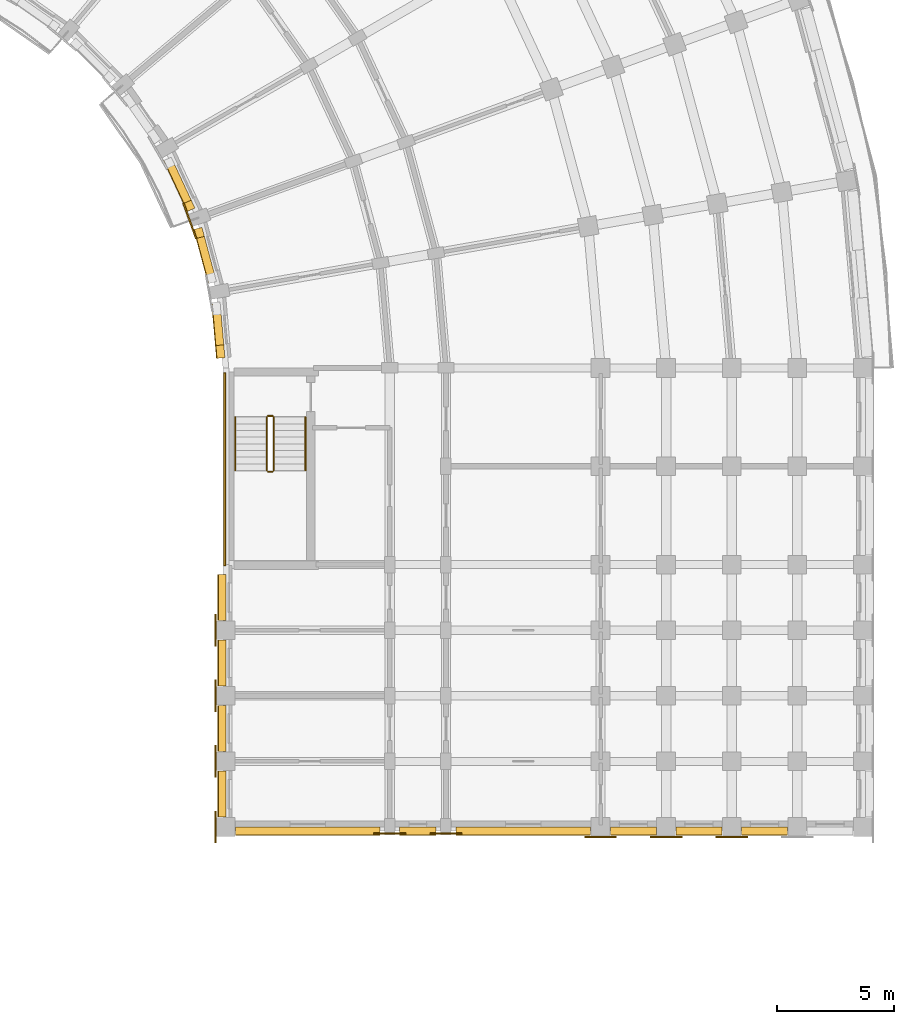
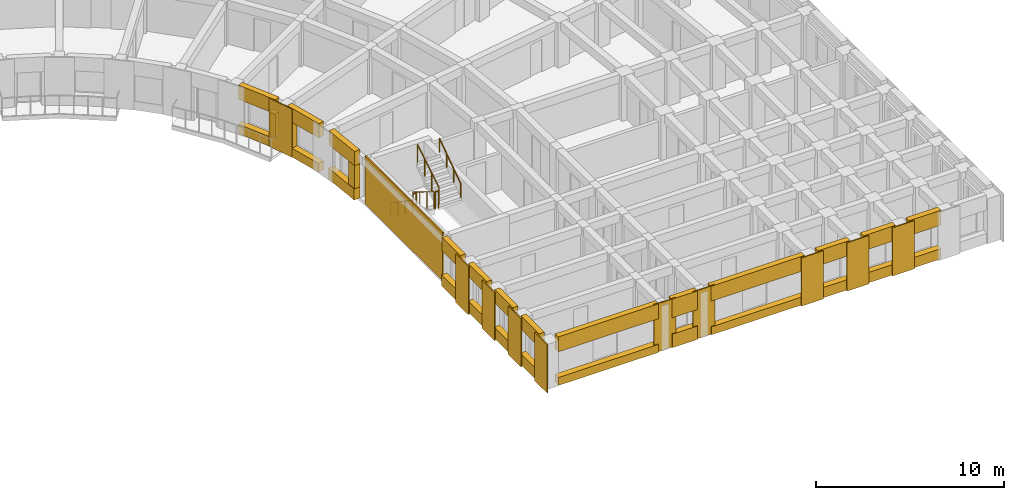
# One storey, part 50 of 54: 40 coverings, 6 railings.
"""IFC4 building model written with IfcOpenShell, lengths in metres."""

from ifc_helpers import new_model, si_unit, direction, frame, origin, origin_2d, place, context, subcontext, project, spatial, polyline, circle, outline, extrude, material, layer, layer_set, type_object, element, save


model = new_model("IFC4")

# Units and contexts
model_context = context("Model", 3, precision=1e-05, world=origin(), true_north=direction((0.0, 1.0)))
body_context = subcontext(model_context, "Body", "Model", "MODEL_VIEW")
ifc_project = project(units=[si_unit("LENGTHUNIT", "METRE"), si_unit("AREAUNIT", "SQUARE_METRE"), si_unit("VOLUMEUNIT", "CUBIC_METRE"), si_unit("PLANEANGLEUNIT", "RADIAN"), si_unit("MASSUNIT", "GRAM", prefix="KILO")], contexts=[model_context])

# Site, building, storey
site_placement = place(None, origin())
site = spatial("IfcSite", under=ifc_project, at=site_placement, CompositionType="ELEMENT")
building_placement = place(site_placement, origin())
building = spatial("IfcBuilding", under=site, at=building_placement, Name="Kiranvali Square Residences", CompositionType="ELEMENT")
storey_placement = place(building_placement, frame((0.0, 0.0, 11.85009765625)))
storey = spatial("IfcBuildingStorey", under=building, at=storey_placement, Name="L03", CompositionType="ELEMENT", Elevation=11.85009765625)

# Coverings
ifc_material_1 = material(Name="Honed Porbandar limestone ashlar facade cladding", Category="masonry")
ifc_layer_1 = layer(ifc_material_1, 0.3798828125)
ifc_layer_set_1 = layer_set([ifc_layer_1], Name="Honed Porbandar limestone ashlar facade cladding")
covering_type_1 = type_object("IfcCoveringType", Name="COV-CLAD-JAMB", PredefinedType="CLADDING", material=ifc_layer_set_1)
covering_1_placement = place(storey_placement, frame((0.0, 0.0, 0.621826171875)))
element("IfcCovering", 1, at=covering_1_placement, inside=storey, type_object=covering_type_1, Name="L03 deep limestone window jamb reveal B-L03-GDN-06.R", PredefinedType="CLADDING", context=body_context, shape_type="SweptSolid", body=[
    extrude(outline(polyline([(136.814208984375, 94.823486328125), (136.97216796875, 94.485107421875), (137.27978515625, 94.62841796875), (137.1220703125, 94.967041015625), (136.814208984375, 94.823486328125)])), origin(), (0.0, 0.0, 1.0), 1.60009765625),
])
covering_2_placement = place(storey_placement, frame((0.0, 0.0, 0.572021484375)))
element("IfcCovering", 2, at=covering_2_placement, inside=storey, type_object=covering_type_1, Name="L03 deep limestone window jamb reveal B-L03-GDN-07.L", PredefinedType="CLADDING", context=body_context, shape_type="SweptSolid", body=[
    extrude(outline(polyline([(137.251708984375, 93.717041015625), (137.354736328125, 93.33203125), (137.682861328125, 93.419921875), (137.57958984375, 93.804931640625), (137.251708984375, 93.717041015625)])), origin(), (0.0, 0.0, 1.0), 1.64990234375),
])
covering_3_placement = place(storey_placement, frame((0.0, 0.0, 0.721923828125)))
element("IfcCovering", 3, at=covering_3_placement, inside=storey, type_object=covering_type_1, Name="L03 deep limestone window jamb reveal B-L03-GDN-08.R", PredefinedType="CLADDING", context=body_context, shape_type="SweptSolid", body=[
    extrude(outline(polyline([(138.175048828125, 88.755126953125), (138.222900390625, 88.208740234375), (138.56103515625, 88.23828125), (138.513427734375, 88.78466796875), (138.175048828125, 88.755126953125)])), origin(), (0.0, 0.0, 1.0), 1.5),
])
ifc_layer_2 = layer(ifc_material_1, 0.06494140625)
ifc_layer_set_2 = layer_set([ifc_layer_2], Name="Honed Porbandar limestone ashlar facade cladding")
covering_type_2 = type_object("IfcCoveringType", Name="COV-CLAD-PIER", PredefinedType="CLADDING", material=ifc_layer_set_2)
covering_4_placement = place(storey_placement, frame((0.0, 0.0, 0.0048828125)))
element("IfcCovering", 4, at=covering_4_placement, inside=storey, type_object=covering_type_2, Name="Block B L03 Arm 2 stair limestone ashlar cladding", PredefinedType="CLADDING", context=body_context, shape_type="SweptSolid", body=[
    extrude(outline(polyline([(138.52001953125, 87.60009765625), (138.52001953125, 79.35009765625), (138.597900390625, 79.35009765625), (138.597900390625, 87.60009765625), (138.52001953125, 87.60009765625)])), origin(), (0.0, 0.0, 1.0), 3.14013671875),
])
ifc_layer_3 = layer(ifc_material_1, 0.050048828125)
ifc_layer_set_3 = layer_set([ifc_layer_3], Name="Honed Porbandar limestone ashlar facade cladding")
covering_type_3 = type_object("IfcCoveringType", Name="COV-CLAD-PIER-IN", PredefinedType="CLADDING", material=ifc_layer_set_3)
covering_5_placement = place(storey_placement, frame((0.0, 0.0, 0.0048828125)))
element("IfcCovering", 5, at=covering_5_placement, inside=storey, type_object=covering_type_3, Name="L03 Classical garden courtyard pilaster CLAD-PRIN-B-L03-A07", PredefinedType="CLADDING", context=body_context, shape_type="SweptSolid", body=[
    extrude(outline(polyline([(136.7529296875, 94.82177734375), (137.300048828125, 93.318115234375), (137.363525390625, 93.34130859375), (136.816162109375, 94.8447265625), (136.7529296875, 94.82177734375)])), origin(), (0.0, 0.0, 1.0), 3.14013671875),
])
covering_6_placement = place(storey_placement, frame((0.0, 0.0, 0.0048828125)))
element("IfcCovering", 6, at=covering_6_placement, inside=storey, type_object=covering_type_3, Name="L03 Classical limestone pilaster casing CLAD-PRA2I-B-L03-V112", PredefinedType="CLADDING", context=body_context, shape_type="SweptSolid", body=[
    extrude(outline(polyline([(138.132080078125, 77.280029296875), (138.132080078125, 75.919921875), (138.199462890625, 75.919921875), (138.199462890625, 77.280029296875), (138.132080078125, 77.280029296875)])), origin(), (0.0, 0.0, 1.0), 3.14013671875),
])
covering_7_placement = place(storey_placement, frame((0.0, 0.0, 0.0048828125)))
element("IfcCovering", 7, at=covering_7_placement, inside=storey, type_object=covering_type_3, Name="L03 Classical limestone pilaster casing CLAD-PRA2I-B-L03-V140", PredefinedType="CLADDING", context=body_context, shape_type="SweptSolid", body=[
    extrude(outline(polyline([(138.132080078125, 74.47998046875), (138.132080078125, 73.1201171875), (138.199462890625, 73.1201171875), (138.199462890625, 74.47998046875), (138.132080078125, 74.47998046875)])), origin(), (0.0, 0.0, 1.0), 3.14013671875),
])
covering_8_placement = place(storey_placement, frame((0.0, 0.0, 0.0048828125)))
element("IfcCovering", 8, at=covering_8_placement, inside=storey, type_object=covering_type_3, Name="L03 Classical limestone pilaster casing CLAD-PRA2I-B-L03-V167", PredefinedType="CLADDING", context=body_context, shape_type="SweptSolid", body=[
    extrude(outline(polyline([(138.132080078125, 71.679931640625), (138.132080078125, 70.320068359375), (138.199462890625, 70.320068359375), (138.199462890625, 71.679931640625), (138.132080078125, 71.679931640625)])), origin(), (0.0, 0.0, 1.0), 3.14013671875),
])
covering_9_placement = place(storey_placement, frame((0.0, 0.0, 0.0048828125)))
element("IfcCovering", 9, at=covering_9_placement, inside=storey, type_object=covering_type_3, Name="L03 Classical limestone pilaster casing CLAD-PRA2I-B-L03-V196", PredefinedType="CLADDING", context=body_context, shape_type="SweptSolid", body=[
    extrude(outline(polyline([(138.132080078125, 68.8798828125), (138.132080078125, 67.52001953125), (138.199462890625, 67.52001953125), (138.199462890625, 68.8798828125), (138.132080078125, 68.8798828125)])), origin(), (0.0, 0.0, 1.0), 3.14013671875),
])
ifc_layer_4 = layer(ifc_material_1, 0.054931640625)
ifc_layer_set_4 = layer_set([ifc_layer_4], Name="Honed Porbandar limestone ashlar facade cladding")
covering_type_4 = type_object("IfcCoveringType", Name="COV-CLAD-PIER-UP", PredefinedType="CLADDING", material=ifc_layer_set_4)
covering_10_placement = place(storey_placement, frame((0.0, 0.0, 0.0048828125)))
element("IfcCovering", 10, at=covering_10_placement, inside=storey, type_object=covering_type_4, Name="L03 Classical limestone pilaster casing CLAD-PRA2E-B-L03-R258", PredefinedType="CLADDING", context=body_context, shape_type="SweptSolid", body=[
    extrude(outline(polyline([(144.919921875, 67.882080078125), (146.280029296875, 67.882080078125), (146.280029296875, 67.949462890625), (144.919921875, 67.949462890625), (144.919921875, 67.882080078125)])), origin(), (0.0, 0.0, 1.0), 3.14013671875),
])
covering_11_placement = place(storey_placement, frame((0.0, 0.0, 0.0048828125)))
element("IfcCovering", 11, at=covering_11_placement, inside=storey, type_object=covering_type_4, Name="L03 Classical limestone pilaster casing CLAD-PRA2E-B-L03-R282", PredefinedType="CLADDING", context=body_context, shape_type="SweptSolid", body=[
    extrude(outline(polyline([(147.320068359375, 67.882080078125), (148.679931640625, 67.882080078125), (148.679931640625, 67.949462890625), (147.320068359375, 67.949462890625), (147.320068359375, 67.882080078125)])), origin(), (0.0, 0.0, 1.0), 3.14013671875),
])
covering_12_placement = place(storey_placement, frame((0.0, 0.0, 0.0048828125)))
element("IfcCovering", 12, at=covering_12_placement, inside=storey, type_object=covering_type_4, Name="L03 Classical limestone pilaster casing CLAD-PRA2E-B-L03-R348", PredefinedType="CLADDING", context=body_context, shape_type="SweptSolid", body=[
    extrude(outline(polyline([(153.919921875, 67.73193359375), (155.280029296875, 67.73193359375), (155.280029296875, 67.799560546875), (153.919921875, 67.799560546875), (153.919921875, 67.73193359375)])), origin(), (0.0, 0.0, 1.0), 3.14013671875),
])
covering_13_placement = place(storey_placement, frame((0.0, 0.0, 0.0048828125)))
element("IfcCovering", 13, at=covering_13_placement, inside=storey, type_object=covering_type_4, Name="L03 Classical limestone pilaster casing CLAD-PRA2E-B-L03-R376", PredefinedType="CLADDING", context=body_context, shape_type="SweptSolid", body=[
    extrude(outline(polyline([(156.719970703125, 67.73193359375), (158.080078125, 67.73193359375), (158.080078125, 67.799560546875), (156.719970703125, 67.799560546875), (156.719970703125, 67.73193359375)])), origin(), (0.0, 0.0, 1.0), 3.14013671875),
])
covering_14_placement = place(storey_placement, frame((0.0, 0.0, 0.0048828125)))
element("IfcCovering", 14, at=covering_14_placement, inside=storey, type_object=covering_type_4, Name="L03 Classical limestone pilaster casing CLAD-PRA2E-B-L03-R404", PredefinedType="CLADDING", context=body_context, shape_type="SweptSolid", body=[
    extrude(outline(polyline([(159.52001953125, 67.73193359375), (160.8798828125, 67.73193359375), (160.8798828125, 67.799560546875), (159.52001953125, 67.799560546875), (159.52001953125, 67.73193359375)])), origin(), (0.0, 0.0, 1.0), 3.14013671875),
])
ifc_layer_5 = layer(ifc_material_1, 0.360107421875)
ifc_layer_set_5 = layer_set([ifc_layer_5], Name="Honed Porbandar limestone ashlar facade cladding")
covering_type_5 = type_object("IfcCoveringType", Name="COV-CLAD-WALL", PredefinedType="CLADDING", material=ifc_layer_set_5)
covering_15_placement = place(storey_placement, frame((0.0, 0.0, 2.221923828125)))
element("IfcCovering", 15, at=covering_15_placement, inside=storey, type_object=covering_type_5, Name="L03 light limestone spandrel lintel B-L03-GDN-06", PredefinedType="CLADDING", context=body_context, shape_type="SweptSolid", body=[
    extrude(outline(polyline([(135.958984375, 96.657470703125), (136.97216796875, 94.485107421875), (137.27978515625, 94.62841796875), (136.266845703125, 96.801025390625), (135.958984375, 96.657470703125)])), origin(), (0.0, 0.0, 1.0), 0.923095703125),
])
covering_16_placement = place(storey_placement, frame((0.0, 0.0, 2.221923828125)))
element("IfcCovering", 16, at=covering_16_placement, inside=storey, type_object=covering_type_5, Name="L03 light limestone spandrel lintel B-L03-GDN-07", PredefinedType="CLADDING", context=body_context, shape_type="SweptSolid", body=[
    extrude(outline(polyline([(137.251708984375, 93.717041015625), (137.8720703125, 91.401611328125), (138.199951171875, 91.489501953125), (137.57958984375, 93.804931640625), (137.251708984375, 93.717041015625)])), origin(), (0.0, 0.0, 1.0), 0.923095703125),
])
covering_17_placement = place(storey_placement, frame((0.0, 0.0, 2.221923828125)))
element("IfcCovering", 17, at=covering_17_placement, inside=storey, type_object=covering_type_5, Name="L03 light limestone spandrel lintel B-L03-GDN-08", PredefinedType="CLADDING", context=body_context, shape_type="SweptSolid", body=[
    extrude(outline(polyline([(138.013916015625, 90.5966796875), (138.222900390625, 88.208740234375), (138.56103515625, 88.23828125), (138.352294921875, 90.626220703125), (138.013916015625, 90.5966796875)])), origin(), (0.0, 0.0, 1.0), 0.923095703125),
])
covering_18_placement = place(storey_placement, frame((0.0, 0.0, 2.27197265625)))
element("IfcCovering", 18, at=covering_18_placement, inside=storey, type_object=covering_type_5, Name="L03 light limestone spandrel lintel B-L03-A2I-0", PredefinedType="CLADDING", context=body_context, shape_type="SweptSolid", body=[
    extrude(outline(polyline([(138.280029296875, 78.97998046875), (138.280029296875, 77.02001953125), (138.599609375, 77.02001953125), (138.599609375, 78.97998046875), (138.280029296875, 78.97998046875)])), origin(), (0.0, 0.0, 1.0), 0.873046875),
])
covering_19_placement = place(storey_placement, frame((0.0, 0.0, 0.0048828125)))
element("IfcCovering", 19, at=covering_19_placement, inside=storey, type_object=covering_type_5, Name="L03 limestone window sill apron B-L03-A2I-0", PredefinedType="CLADDING", context=body_context, shape_type="SweptSolid", body=[
    extrude(outline(polyline([(138.25, 78.97998046875), (138.25, 77.02001953125), (138.599609375, 77.02001953125), (138.599609375, 78.97998046875), (138.25, 78.97998046875)])), origin(), (0.0, 0.0, 1.0), 0.717041015625),
])
covering_20_placement = place(storey_placement, frame((0.0, 0.0, 2.27197265625)))
element("IfcCovering", 20, at=covering_20_placement, inside=storey, type_object=covering_type_5, Name="L03 light limestone spandrel lintel B-L03-A2I-1", PredefinedType="CLADDING", context=body_context, shape_type="SweptSolid", body=[
    extrude(outline(polyline([(138.280029296875, 76.179931640625), (138.280029296875, 74.219970703125), (138.599609375, 74.219970703125), (138.599609375, 76.179931640625), (138.280029296875, 76.179931640625)])), origin(), (0.0, 0.0, 1.0), 0.873046875),
])
covering_21_placement = place(storey_placement, frame((0.0, 0.0, 0.0048828125)))
element("IfcCovering", 21, at=covering_21_placement, inside=storey, type_object=covering_type_5, Name="L03 limestone window sill apron B-L03-A2I-1", PredefinedType="CLADDING", context=body_context, shape_type="SweptSolid", body=[
    extrude(outline(polyline([(138.25, 76.179931640625), (138.25, 74.219970703125), (138.599609375, 74.219970703125), (138.599609375, 76.179931640625), (138.25, 76.179931640625)])), origin(), (0.0, 0.0, 1.0), 0.717041015625),
])
covering_22_placement = place(storey_placement, frame((0.0, 0.0, 2.27197265625)))
element("IfcCovering", 22, at=covering_22_placement, inside=storey, type_object=covering_type_5, Name="L03 light limestone spandrel lintel B-L03-A2I-2", PredefinedType="CLADDING", context=body_context, shape_type="SweptSolid", body=[
    extrude(outline(polyline([(138.280029296875, 73.3798828125), (138.280029296875, 71.419921875), (138.599609375, 71.419921875), (138.599609375, 73.3798828125), (138.280029296875, 73.3798828125)])), origin(), (0.0, 0.0, 1.0), 0.873046875),
])
covering_23_placement = place(storey_placement, frame((0.0, 0.0, 0.0048828125)))
element("IfcCovering", 23, at=covering_23_placement, inside=storey, type_object=covering_type_5, Name="L03 limestone window sill apron B-L03-A2I-2", PredefinedType="CLADDING", context=body_context, shape_type="SweptSolid", body=[
    extrude(outline(polyline([(138.25, 73.3798828125), (138.25, 71.419921875), (138.599609375, 71.419921875), (138.599609375, 73.3798828125), (138.25, 73.3798828125)])), origin(), (0.0, 0.0, 1.0), 0.717041015625),
])
covering_24_placement = place(storey_placement, frame((0.0, 0.0, 2.27197265625)))
element("IfcCovering", 24, at=covering_24_placement, inside=storey, type_object=covering_type_5, Name="L03 light limestone spandrel lintel B-L03-A2I-3", PredefinedType="CLADDING", context=body_context, shape_type="SweptSolid", body=[
    extrude(outline(polyline([(138.280029296875, 70.580078125), (138.280029296875, 68.6201171875), (138.599609375, 68.6201171875), (138.599609375, 70.580078125), (138.280029296875, 70.580078125)])), origin(), (0.0, 0.0, 1.0), 0.873046875),
])
covering_25_placement = place(storey_placement, frame((0.0, 0.0, 0.0048828125)))
element("IfcCovering", 25, at=covering_25_placement, inside=storey, type_object=covering_type_5, Name="L03 limestone window sill apron B-L03-A2I-3", PredefinedType="CLADDING", context=body_context, shape_type="SweptSolid", body=[
    extrude(outline(polyline([(138.25, 70.580078125), (138.25, 68.6201171875), (138.599609375, 68.6201171875), (138.599609375, 70.580078125), (138.25, 70.580078125)])), origin(), (0.0, 0.0, 1.0), 0.717041015625),
])
covering_26_placement = place(storey_placement, frame((0.0, 0.0, 2.171875)))
element("IfcCovering", 26, at=covering_26_placement, inside=storey, type_object=covering_type_5, Name="L03 light limestone spandrel lintel B-L03-A2END-0", PredefinedType="CLADDING", context=body_context, shape_type="SweptSolid", body=[
    extrude(outline(polyline([(139.02001953125, 67.860107421875), (145.179931640625, 67.860107421875), (145.179931640625, 68.199462890625), (139.02001953125, 68.199462890625), (139.02001953125, 67.860107421875)])), origin(), (0.0, 0.0, 1.0), 0.97314453125),
])
covering_27_placement = place(storey_placement, frame((0.0, 0.0, 0.0048828125)))
element("IfcCovering", 27, at=covering_27_placement, inside=storey, type_object=covering_type_5, Name="L03 limestone window sill apron B-L03-A2END-0", PredefinedType="CLADDING", context=body_context, shape_type="SweptSolid", body=[
    extrude(outline(polyline([(139.02001953125, 67.830078125), (145.179931640625, 67.830078125), (145.179931640625, 68.199462890625), (139.02001953125, 68.199462890625), (139.02001953125, 67.830078125)])), origin(), (0.0, 0.0, 1.0), 0.51708984375),
])
covering_28_placement = place(storey_placement, frame((0.0, 0.0, 1.929931640625)))
element("IfcCovering", 28, at=covering_28_placement, inside=storey, type_object=covering_type_5, Name="L03 light limestone spandrel lintel B-L03-A2END-1", PredefinedType="CLADDING", context=body_context, shape_type="SweptSolid", body=[
    extrude(outline(polyline([(146.02001953125, 67.860107421875), (147.580078125, 67.860107421875), (147.580078125, 68.199462890625), (146.02001953125, 68.199462890625), (146.02001953125, 67.860107421875)])), origin(), (0.0, 0.0, 1.0), 1.215087890625),
])
covering_29_placement = place(storey_placement, frame((0.0, 0.0, 0.0048828125)))
element("IfcCovering", 29, at=covering_29_placement, inside=storey, type_object=covering_type_5, Name="L03 limestone window sill apron B-L03-A2END-1", PredefinedType="CLADDING", context=body_context, shape_type="SweptSolid", body=[
    extrude(outline(polyline([(146.02001953125, 67.830078125), (147.580078125, 67.830078125), (147.580078125, 68.199462890625), (146.02001953125, 68.199462890625), (146.02001953125, 67.830078125)])), origin(), (0.0, 0.0, 1.0), 0.875),
])
covering_30_placement = place(storey_placement, frame((0.0, 0.0, 2.171875)))
element("IfcCovering", 30, at=covering_30_placement, inside=storey, type_object=covering_type_5, Name="L03 light limestone spandrel lintel B-L03-A2END-2", PredefinedType="CLADDING", context=body_context, shape_type="SweptSolid", body=[
    extrude(outline(polyline([(148.419921875, 67.860107421875), (154.179931640625, 67.860107421875), (154.179931640625, 68.199462890625), (148.419921875, 68.199462890625), (148.419921875, 67.860107421875)])), origin(), (0.0, 0.0, 1.0), 0.97314453125),
])
covering_31_placement = place(storey_placement, frame((0.0, 0.0, 0.0048828125)))
element("IfcCovering", 31, at=covering_31_placement, inside=storey, type_object=covering_type_5, Name="L03 limestone window sill apron B-L03-A2END-2", PredefinedType="CLADDING", context=body_context, shape_type="SweptSolid", body=[
    extrude(outline(polyline([(148.419921875, 67.830078125), (154.179931640625, 67.830078125), (154.179931640625, 68.199462890625), (148.419921875, 68.199462890625), (148.419921875, 67.830078125)])), origin(), (0.0, 0.0, 1.0), 0.51708984375),
])
covering_32_placement = place(storey_placement, frame((0.0, 0.0, 2.171875)))
element("IfcCovering", 32, at=covering_32_placement, inside=storey, type_object=covering_type_5, Name="L03 light limestone spandrel lintel B-L03-A2END-3", PredefinedType="CLADDING", context=body_context, shape_type="SweptSolid", body=[
    extrude(outline(polyline([(155.02001953125, 67.860107421875), (156.97998046875, 67.860107421875), (156.97998046875, 68.199462890625), (155.02001953125, 68.199462890625), (155.02001953125, 67.860107421875)])), origin(), (0.0, 0.0, 1.0), 0.97314453125),
])
covering_33_placement = place(storey_placement, frame((0.0, 0.0, 0.0048828125)))
element("IfcCovering", 33, at=covering_33_placement, inside=storey, type_object=covering_type_5, Name="L03 limestone window sill apron B-L03-A2END-3", PredefinedType="CLADDING", context=body_context, shape_type="SweptSolid", body=[
    extrude(outline(polyline([(155.02001953125, 67.830078125), (156.97998046875, 67.830078125), (156.97998046875, 68.199462890625), (155.02001953125, 68.199462890625), (155.02001953125, 67.830078125)])), origin(), (0.0, 0.0, 1.0), 0.6669921875),
])
covering_34_placement = place(storey_placement, frame((0.0, 0.0, 2.171875)))
element("IfcCovering", 34, at=covering_34_placement, inside=storey, type_object=covering_type_5, Name="L03 light limestone spandrel lintel B-L03-A2END-4", PredefinedType="CLADDING", context=body_context, shape_type="SweptSolid", body=[
    extrude(outline(polyline([(157.820068359375, 67.860107421875), (159.780029296875, 67.860107421875), (159.780029296875, 68.199462890625), (157.820068359375, 68.199462890625), (157.820068359375, 67.860107421875)])), origin(), (0.0, 0.0, 1.0), 0.97314453125),
])
covering_35_placement = place(storey_placement, frame((0.0, 0.0, 0.0048828125)))
element("IfcCovering", 35, at=covering_35_placement, inside=storey, type_object=covering_type_5, Name="L03 limestone window sill apron B-L03-A2END-4", PredefinedType="CLADDING", context=body_context, shape_type="SweptSolid", body=[
    extrude(outline(polyline([(157.820068359375, 67.830078125), (159.780029296875, 67.830078125), (159.780029296875, 68.199462890625), (157.820068359375, 68.199462890625), (157.820068359375, 67.830078125)])), origin(), (0.0, 0.0, 1.0), 0.6669921875),
])
covering_36_placement = place(storey_placement, frame((0.0, 0.0, 2.171875)))
element("IfcCovering", 36, at=covering_36_placement, inside=storey, type_object=covering_type_5, Name="L03 light limestone spandrel lintel B-L03-A2END-5", PredefinedType="CLADDING", context=body_context, shape_type="SweptSolid", body=[
    extrude(outline(polyline([(160.6201171875, 67.860107421875), (162.580078125, 67.860107421875), (162.580078125, 68.199462890625), (160.6201171875, 68.199462890625), (160.6201171875, 67.860107421875)])), origin(), (0.0, 0.0, 1.0), 0.97314453125),
])
covering_37_placement = place(storey_placement, frame((0.0, 0.0, 0.0048828125)))
element("IfcCovering", 37, at=covering_37_placement, inside=storey, type_object=covering_type_5, Name="L03 limestone window sill apron B-L03-A2END-5", PredefinedType="CLADDING", context=body_context, shape_type="SweptSolid", body=[
    extrude(outline(polyline([(160.6201171875, 67.830078125), (162.580078125, 67.830078125), (162.580078125, 68.199462890625), (160.6201171875, 68.199462890625), (160.6201171875, 67.830078125)])), origin(), (0.0, 0.0, 1.0), 0.6669921875),
])
ifc_layer_6 = layer(ifc_material_1, 0.2900390625)
ifc_layer_set_6 = layer_set([ifc_layer_6], Name="Honed Porbandar limestone ashlar facade cladding")
covering_type_6 = type_object("IfcCoveringType", Name="COV-CLAD-WALL-IN", PredefinedType="CLADDING", material=ifc_layer_set_6)
covering_38_placement = place(storey_placement, frame((0.0, 0.0, 0.0048828125)))
element("IfcCovering", 38, at=covering_38_placement, inside=storey, type_object=covering_type_6, Name="L03 limestone window sill apron B-L03-GDN-06", PredefinedType="CLADDING", context=body_context, shape_type="SweptSolid", body=[
    extrude(outline(polyline([(135.931884765625, 96.644775390625), (136.94482421875, 94.472412109375), (137.27978515625, 94.62841796875), (136.266845703125, 96.801025390625), (135.931884765625, 96.644775390625)])), origin(), (0.0, 0.0, 1.0), 0.616943359375),
])
covering_39_placement = place(storey_placement, frame((0.0, 0.0, 0.0048828125)))
element("IfcCovering", 39, at=covering_39_placement, inside=storey, type_object=covering_type_6, Name="L03 limestone window sill apron B-L03-GDN-07", PredefinedType="CLADDING", context=body_context, shape_type="SweptSolid", body=[
    extrude(outline(polyline([(137.22265625, 93.709228515625), (137.843017578125, 91.393798828125), (138.199951171875, 91.489501953125), (137.57958984375, 93.804931640625), (137.22265625, 93.709228515625)])), origin(), (0.0, 0.0, 1.0), 0.567138671875),
])
covering_40_placement = place(storey_placement, frame((0.0, 0.0, 0.0048828125)))
element("IfcCovering", 40, at=covering_40_placement, inside=storey, type_object=covering_type_6, Name="L03 limestone window sill apron B-L03-GDN-08", PredefinedType="CLADDING", context=body_context, shape_type="SweptSolid", body=[
    extrude(outline(polyline([(137.984130859375, 90.593994140625), (138.193115234375, 88.2060546875), (138.56103515625, 88.23828125), (138.352294921875, 90.626220703125), (137.984130859375, 90.593994140625)])), origin(), (0.0, 0.0, 1.0), 0.717041015625),
])

# Railings
ifc_material_2 = material(Name="Brushed stainless steel tubular handrail", Category="steel")
railing_type_1 = type_object("IfcRailingType", Name="RL-HANDRAIL-900", PredefinedType="HANDRAIL", material=ifc_material_2)
railing_1_placement = place(storey_placement, frame((139.0, 85.699951171875, 0.1748046875)))
element("IfcRailing", 41, at=railing_1_placement, inside=storey, type_object=railing_type_1, Name="L03 ST-B3 stair handrail 1", PredefinedType="HANDRAIL", context=body_context, shape_type="SweptSolid", body=[
    extrude(circle(Radius=0.02392578125, at=origin_2d()), frame((0.0, 0.0, 0.8759765625), z_axis=(0.0, -0.82274681792, 0.568408016835), x_axis=(1.0, 0.0, 0.0)), (0.0, 0.0, 1.0), 2.771240234375),
    extrude(circle(Radius=0.02099609375, at=origin_2d()), origin(), (0.0, 0.0, 1.0), 0.851806640625),
    extrude(circle(Radius=0.02099609375, at=origin_2d()), frame((0.0, -0.760009765625, 0.525146484375)), (0.0, 0.0, 1.0), 0.851806640625),
    extrude(circle(Radius=0.02099609375, at=origin_2d()), frame((0.0, -1.52001953125, 1.050048828125)), (0.0, 0.0, 1.0), 0.851806640625),
    extrude(circle(Radius=0.02099609375, at=origin_2d()), frame((0.0, -2.280029296875, 1.5751953125)), (0.0, 0.0, 1.0), 0.851806640625),
])
railing_2_placement = place(storey_placement, frame((142.0, 83.419921875, 1.75)))
element("IfcRailing", 42, at=railing_2_placement, inside=storey, type_object=railing_type_1, Name="L03 ST-B3 stair handrail 2", PredefinedType="HANDRAIL", context=body_context, shape_type="SweptSolid", body=[
    extrude(circle(Radius=0.02392578125, at=origin_2d()), frame((0.0, 0.0, 0.8759765625), z_axis=(0.0, 0.82278801735, 0.568348377763), x_axis=(-1.0, 0.0, 0.0)), (0.0, 0.0, 1.0), 2.77099609375),
    extrude(circle(Radius=0.02099609375, at=origin_2d()), origin(), (0.0, 0.0, 1.0), 0.851806640625),
    extrude(circle(Radius=0.02099609375, at=origin_2d()), frame((0.0, 0.760009765625, 0.52490234375)), (0.0, 0.0, 1.0), 0.851806640625),
    extrude(circle(Radius=0.02099609375, at=origin_2d()), frame((0.0, 1.52001953125, 1.050048828125)), (0.0, 0.0, 1.0), 0.851806640625),
    extrude(circle(Radius=0.02099609375, at=origin_2d()), frame((0.0, 2.280029296875, 1.574951171875)), (0.0, 0.0, 1.0), 0.851806640625),
])
ifc_material_3 = material(Name="Powder-coated architectural bronze balustrade", Category="steel")
railing_type_2 = type_object("IfcRailingType", Name="RL-ST-GUARD-1200", PredefinedType="GUARDRAIL", material=ifc_material_3)
railing_3_placement = place(storey_placement, frame((140.35009765625, 85.699951171875, 0.1748046875)))
element("IfcRailing", 43, at=railing_3_placement, inside=storey, type_object=railing_type_2, Name="L03 ST-B3 stair guard 1", PredefinedType="GUARDRAIL", context=body_context, shape_type="SweptSolid", body=[
    extrude(circle(Radius=0.02392578125, at=origin_2d()), frame((0.0, 0.0, 1.1259765625), z_axis=(0.0, -0.852149810458, 0.523297908018), x_axis=(1.0, 0.0, 0.0)), (0.0, 0.0, 1.0), 2.675537109375),
    extrude(circle(Radius=0.02099609375, at=origin_2d()), origin(), (0.0, 0.0, 1.0), 1.101806640625),
    extrude(circle(Radius=0.02099609375, at=origin_2d()), frame((0.0, -0.760009765625, 0.466796875)), (0.0, 0.0, 1.0), 1.101806640625),
    extrude(circle(Radius=0.02099609375, at=origin_2d()), frame((0.0, -1.52001953125, 0.933349609375)), (0.0, 0.0, 1.0), 1.101806640625),
    extrude(circle(Radius=0.02099609375, at=origin_2d()), frame((0.0, -2.280029296875, 1.400146484375)), (0.0, 0.0, 1.0), 1.101806640625),
])
railing_4_placement = place(storey_placement, frame((140.39990234375, 83.3701171875, 1.574951171875)))
element("IfcRailing", 44, at=railing_4_placement, inside=storey, type_object=railing_type_2, Name="L03 ST-B3 stair guard 2", PredefinedType="GUARDRAIL", context=body_context, shape_type="SweptSolid", body=[
    extrude(circle(Radius=0.02392578125, at=origin_2d()), frame((0.0, 0.0, 1.1259765625), z_axis=(1.0, 0.0, 0.0), x_axis=(0.0, 1.0, 0.0)), (0.0, 0.0, 1.0), 0.2001953125),
    extrude(circle(Radius=0.02099609375, at=origin_2d()), origin(), (0.0, 0.0, 1.0), 1.101806640625),
    extrude(circle(Radius=0.02099609375, at=origin_2d()), frame((0.2001953125, 0.0, 0.0)), (0.0, 0.0, 1.0), 1.101806640625),
])
railing_5_placement = place(storey_placement, frame((140.64990234375, 83.419921875, 1.75)))
element("IfcRailing", 45, at=railing_5_placement, inside=storey, type_object=railing_type_2, Name="L03 ST-B3 stair guard 3", PredefinedType="GUARDRAIL", context=body_context, shape_type="SweptSolid", body=[
    extrude(circle(Radius=0.02392578125, at=origin_2d()), frame((0.0, 0.0, 1.1259765625), z_axis=(0.0, 0.852190499154, 0.523231643875), x_axis=(-1.0, 0.0, 0.0)), (0.0, 0.0, 1.0), 2.675537109375),
    extrude(circle(Radius=0.02099609375, at=origin_2d()), origin(), (0.0, 0.0, 1.0), 1.101806640625),
    extrude(circle(Radius=0.02099609375, at=origin_2d()), frame((0.0, 0.760009765625, 0.466552734375)), (0.0, 0.0, 1.0), 1.101806640625),
    extrude(circle(Radius=0.02099609375, at=origin_2d()), frame((0.0, 1.52001953125, 0.933349609375)), (0.0, 0.0, 1.0), 1.101806640625),
    extrude(circle(Radius=0.02099609375, at=origin_2d()), frame((0.0, 2.280029296875, 1.39990234375)), (0.0, 0.0, 1.0), 1.101806640625),
])
railing_6_placement = place(storey_placement, frame((140.39990234375, 85.75, 0.0)))
element("IfcRailing", 46, at=railing_6_placement, inside=storey, type_object=railing_type_2, Name="L03 ST-B3 stair guard 4", PredefinedType="GUARDRAIL", context=body_context, shape_type="SweptSolid", body=[
    extrude(circle(Radius=0.02392578125, at=origin_2d()), frame((0.0, 0.0, 1.1259765625), z_axis=(1.0, 0.0, 0.0), x_axis=(0.0, 1.0, 0.0)), (0.0, 0.0, 1.0), 0.2001953125),
    extrude(circle(Radius=0.02099609375, at=origin_2d()), origin(), (0.0, 0.0, 1.0), 1.101806640625),
    extrude(circle(Radius=0.02099609375, at=origin_2d()), frame((0.2001953125, 0.0, 0.0)), (0.0, 0.0, 1.0), 1.101806640625),
])

save(model, "model.ifc")
